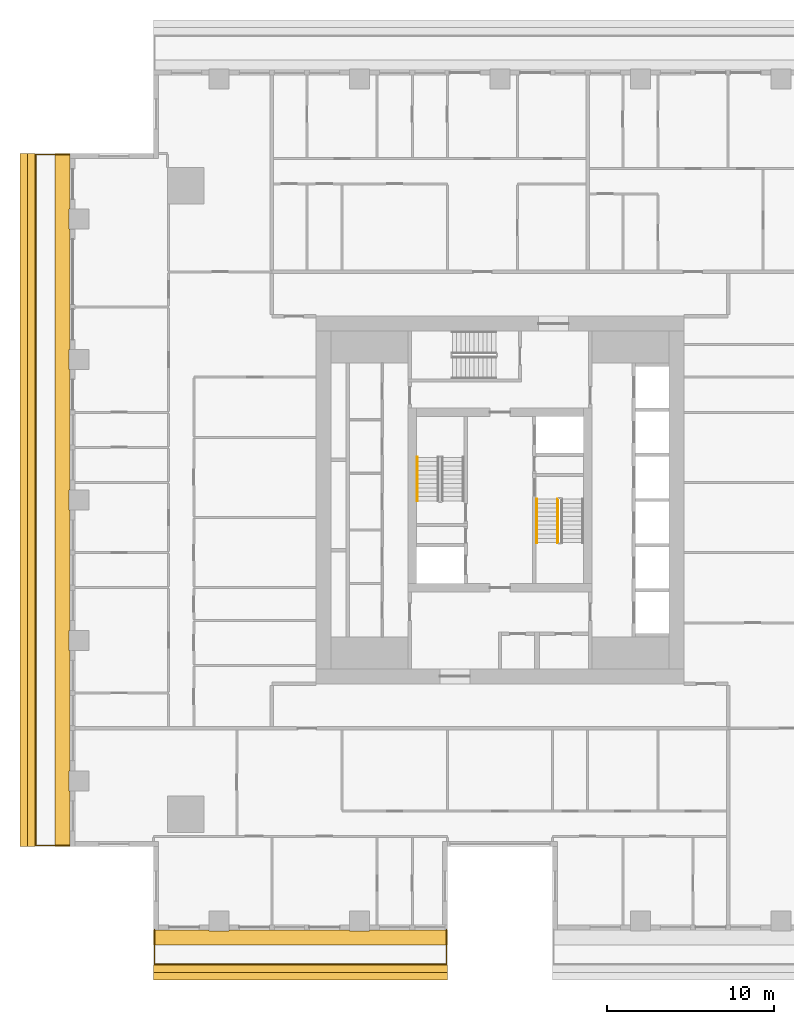
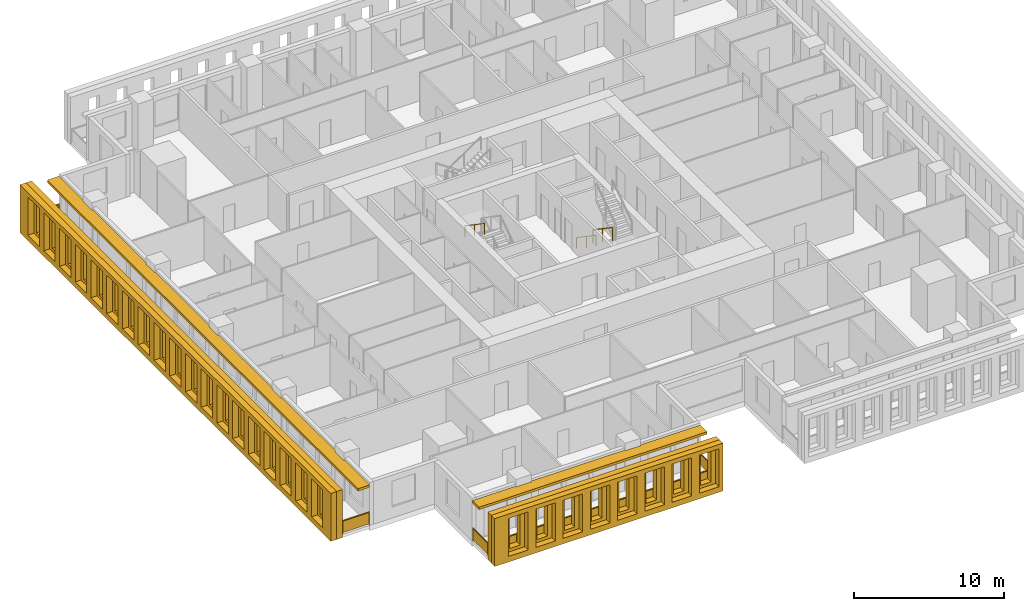
# One storey, part 11 of 15: 6 shading devices, 5 railings.
"""IFC4 building model written with IfcOpenShell, lengths in metres."""

from ifc_helpers import new_model, si_unit, direction, frame, origin, origin_2d, place, context, subcontext, project, spatial, polyline, rectangle, outline, extrude, material, layer, layer_set, type_object, element, save


model = new_model("IFC4")

# Units and contexts
model_context = context("Model", 3, precision=1e-05, world=origin(), true_north=direction((0.0, 1.0)))
body_context = subcontext(model_context, "Body", "Model", "MODEL_VIEW")
ifc_project = project(units=[si_unit("LENGTHUNIT", "METRE"), si_unit("AREAUNIT", "SQUARE_METRE"), si_unit("VOLUMEUNIT", "CUBIC_METRE"), si_unit("PLANEANGLEUNIT", "RADIAN"), si_unit("MASSUNIT", "GRAM", prefix="KILO")], contexts=[model_context])

# Site, building, storey
site_placement = place(None, origin())
site = spatial("IfcSite", under=ifc_project, at=site_placement, CompositionType="ELEMENT")
building_placement = place(site_placement, origin())
building = spatial("IfcBuilding", under=site, at=building_placement, Name="Khepri Terraces", CompositionType="ELEMENT")
storey_placement = place(building_placement, frame((0.0, 0.0, 244.5)))
storey = spatial("IfcBuildingStorey", under=building, at=storey_placement, Name="L58", CompositionType="ELEMENT", Elevation=244.5)

# Railings
ifc_material_1 = material(Name="Stainless steel grade 316", Category="steel")
railing_type_1 = type_object("IfcRailingType", Name="GRD-BAL-1100", PredefinedType="GUARDRAIL", material=ifc_material_1)
railing_1_placement = place(storey_placement, frame((-20.669921875, -25.719970703125, 0.0)))
element("IfcRailing", 1, at=railing_1_placement, inside=storey, type_object=railing_type_1, Name="Balcony guard L58 S", PredefinedType="GUARDRAIL", context=body_context, shape_type="SweptSolid", body=[
    extrude(rectangle(XDim=0.050048828125, YDim=0.06005859375, at=origin_2d()), frame((0.0, 0.0, 1.070068359375), z_axis=(0.0, -1.0, 0.0), x_axis=(1.0, 0.0, 0.0)), (0.0, 0.0, 1.0), 2.050048828125),
    extrude(rectangle(XDim=2.0, YDim=0.011962890625, at=origin_2d()), frame((0.0, -1.02490234375, 0.10009765625), z_axis=(0.0, 0.0, 1.0), x_axis=(0.0, -1.0, 0.0)), (0.0, 0.0, 1.0), 0.93994140625),
    extrude(rectangle(XDim=0.050048828125, YDim=0.06005859375, at=origin_2d()), frame((0.0, -2.050048828125, 1.070068359375), z_axis=(1.0, 0.0, 0.0), x_axis=(0.0, 1.0, 0.0)), (0.0, 0.0, 1.0), 17.469970703125),
    extrude(rectangle(XDim=2.1337890625, YDim=0.011962890625, at=origin_2d()), frame((1.091796875, -2.050048828125, 0.10009765625), z_axis=(0.0, 0.0, 1.0), x_axis=(1.0, 0.0, 0.0)), (0.0, 0.0, 1.0), 0.93994140625),
    extrude(rectangle(XDim=2.1337890625, YDim=0.011962890625, at=origin_2d()), frame((3.275634765625, -2.050048828125, 0.10009765625), z_axis=(0.0, 0.0, 1.0), x_axis=(1.0, 0.0, 0.0)), (0.0, 0.0, 1.0), 0.93994140625),
    extrude(rectangle(XDim=2.1337890625, YDim=0.011962890625, at=origin_2d()), frame((5.45947265625, -2.050048828125, 0.10009765625), z_axis=(0.0, 0.0, 1.0), x_axis=(1.0, 0.0, 0.0)), (0.0, 0.0, 1.0), 0.93994140625),
    extrude(rectangle(XDim=2.1337890625, YDim=0.011962890625, at=origin_2d()), frame((7.64306640625, -2.050048828125, 0.10009765625), z_axis=(0.0, 0.0, 1.0), x_axis=(1.0, 0.0, 0.0)), (0.0, 0.0, 1.0), 0.93994140625),
    extrude(rectangle(XDim=2.1337890625, YDim=0.011962890625, at=origin_2d()), frame((9.826904296875, -2.050048828125, 0.10009765625), z_axis=(0.0, 0.0, 1.0), x_axis=(1.0, 0.0, 0.0)), (0.0, 0.0, 1.0), 0.93994140625),
    extrude(rectangle(XDim=2.1337890625, YDim=0.011962890625, at=origin_2d()), frame((12.010498046875, -2.050048828125, 0.10009765625), z_axis=(0.0, 0.0, 1.0), x_axis=(1.0, 0.0, 0.0)), (0.0, 0.0, 1.0), 0.93994140625),
    extrude(rectangle(XDim=2.1337890625, YDim=0.011962890625, at=origin_2d()), frame((14.1943359375, -2.050048828125, 0.10009765625), z_axis=(0.0, 0.0, 1.0), x_axis=(1.0, 0.0, 0.0)), (0.0, 0.0, 1.0), 0.93994140625),
    extrude(rectangle(XDim=2.1337890625, YDim=0.011962890625, at=origin_2d()), frame((16.378173828125, -2.050048828125, 0.10009765625), z_axis=(0.0, 0.0, 1.0), x_axis=(1.0, 0.0, 0.0)), (0.0, 0.0, 1.0), 0.93994140625),
    extrude(rectangle(XDim=0.050048828125, YDim=0.06005859375, at=origin_2d()), frame((17.469970703125, -2.050048828125, 1.070068359375), z_axis=(0.0, 1.0, 0.0), x_axis=(-1.0, 0.0, 0.0)), (0.0, 0.0, 1.0), 2.050048828125),
    extrude(rectangle(XDim=2.0, YDim=0.011962890625, at=origin_2d()), frame((17.469970703125, -1.02490234375, 0.10009765625), z_axis=(0.0, 0.0, 1.0), x_axis=(0.0, 1.0, 0.0)), (0.0, 0.0, 1.0), 0.93994140625),
    extrude(rectangle(XDim=0.050048828125, YDim=0.050048828125, at=origin_2d()), origin(), (0.0, 0.0, 1.0), 1.0400390625),
    extrude(rectangle(XDim=0.050048828125, YDim=0.050048828125, at=origin_2d()), frame((0.0, -2.050048828125, 0.0)), (0.0, 0.0, 1.0), 1.0400390625),
    extrude(rectangle(XDim=0.050048828125, YDim=0.050048828125, at=origin_2d()), frame((2.183837890625, -2.050048828125, 0.0)), (0.0, 0.0, 1.0), 1.0400390625),
    extrude(rectangle(XDim=0.050048828125, YDim=0.050048828125, at=origin_2d()), frame((4.367431640625, -2.050048828125, 0.0)), (0.0, 0.0, 1.0), 1.0400390625),
    extrude(rectangle(XDim=0.050048828125, YDim=0.050048828125, at=origin_2d()), frame((6.55126953125, -2.050048828125, 0.0)), (0.0, 0.0, 1.0), 1.0400390625),
    extrude(rectangle(XDim=0.050048828125, YDim=0.050048828125, at=origin_2d()), frame((8.73486328125, -2.050048828125, 0.0)), (0.0, 0.0, 1.0), 1.0400390625),
    extrude(rectangle(XDim=0.050048828125, YDim=0.050048828125, at=origin_2d()), frame((10.918701171875, -2.050048828125, 0.0)), (0.0, 0.0, 1.0), 1.0400390625),
    extrude(rectangle(XDim=0.050048828125, YDim=0.050048828125, at=origin_2d()), frame((13.1025390625, -2.050048828125, 0.0)), (0.0, 0.0, 1.0), 1.0400390625),
    extrude(rectangle(XDim=0.050048828125, YDim=0.050048828125, at=origin_2d()), frame((15.2861328125, -2.050048828125, 0.0)), (0.0, 0.0, 1.0), 1.0400390625),
    extrude(rectangle(XDim=0.050048828125, YDim=0.050048828125, at=origin_2d()), frame((17.469970703125, -2.050048828125, 0.0)), (0.0, 0.0, 1.0), 1.0400390625),
    extrude(rectangle(XDim=0.050048828125, YDim=0.050048828125, at=origin_2d()), frame((17.469970703125, 0.0, 0.0)), (0.0, 0.0, 1.0), 1.0400390625),
])
railing_2_placement = place(storey_placement, frame((-25.719970703125, 20.669921875, 0.0)))
element("IfcRailing", 2, at=railing_2_placement, inside=storey, type_object=railing_type_1, Name="Balcony guard L58 W", PredefinedType="GUARDRAIL", context=body_context, shape_type="SweptSolid", body=[
    extrude(rectangle(XDim=0.050048828125, YDim=0.06005859375, at=origin_2d()), frame((0.0, 0.0, 1.070068359375), z_axis=(-1.0, 0.0, 0.0), x_axis=(0.0, -1.0, 0.0)), (0.0, 0.0, 1.0), 2.050048828125),
    extrude(rectangle(XDim=2.0, YDim=0.011962890625, at=origin_2d()), frame((-1.02490234375, 0.0, 0.10009765625), z_axis=(0.0, 0.0, 1.0), x_axis=(-1.0, 0.0, 0.0)), (0.0, 0.0, 1.0), 0.93994140625),
    extrude(rectangle(XDim=0.050048828125, YDim=0.06005859375, at=origin_2d()), frame((-2.050048828125, 0.0, 1.070068359375), z_axis=(0.0, -1.0, 0.0), x_axis=(1.0, 0.0, 0.0)), (0.0, 0.0, 1.0), 41.33984375),
    extrude(rectangle(XDim=2.24658203125, YDim=0.011962890625, at=origin_2d()), frame((-2.050048828125, -1.1484375, 0.10009765625), z_axis=(0.0, 0.0, 1.0), x_axis=(0.0, -1.0, 0.0)), (0.0, 0.0, 1.0), 0.93994140625),
    extrude(rectangle(XDim=2.24658203125, YDim=0.011962890625, at=origin_2d()), frame((-2.050048828125, -3.445068359375, 0.10009765625), z_axis=(0.0, 0.0, 1.0), x_axis=(0.0, -1.0, 0.0)), (0.0, 0.0, 1.0), 0.93994140625),
    extrude(rectangle(XDim=2.24658203125, YDim=0.011962890625, at=origin_2d()), frame((-2.050048828125, -5.74169921875, 0.10009765625), z_axis=(0.0, 0.0, 1.0), x_axis=(0.0, -1.0, 0.0)), (0.0, 0.0, 1.0), 0.93994140625),
    extrude(rectangle(XDim=2.24658203125, YDim=0.011962890625, at=origin_2d()), frame((-2.050048828125, -8.038330078125, 0.10009765625), z_axis=(0.0, 0.0, 1.0), x_axis=(0.0, -1.0, 0.0)), (0.0, 0.0, 1.0), 0.93994140625),
    extrude(rectangle(XDim=2.24658203125, YDim=0.011962890625, at=origin_2d()), frame((-2.050048828125, -10.3349609375, 0.10009765625), z_axis=(0.0, 0.0, 1.0), x_axis=(0.0, -1.0, 0.0)), (0.0, 0.0, 1.0), 0.93994140625),
    extrude(rectangle(XDim=2.24658203125, YDim=0.011962890625, at=origin_2d()), frame((-2.050048828125, -12.631591796875, 0.10009765625), z_axis=(0.0, 0.0, 1.0), x_axis=(0.0, -1.0, 0.0)), (0.0, 0.0, 1.0), 0.93994140625),
    extrude(rectangle(XDim=2.24658203125, YDim=0.011962890625, at=origin_2d()), frame((-2.050048828125, -14.92822265625, 0.10009765625), z_axis=(0.0, 0.0, 1.0), x_axis=(0.0, -1.0, 0.0)), (0.0, 0.0, 1.0), 0.93994140625),
    extrude(rectangle(XDim=2.24658203125, YDim=0.011962890625, at=origin_2d()), frame((-2.050048828125, -17.224853515625, 0.10009765625), z_axis=(0.0, 0.0, 1.0), x_axis=(0.0, -1.0, 0.0)), (0.0, 0.0, 1.0), 0.93994140625),
    extrude(rectangle(XDim=2.24658203125, YDim=0.011962890625, at=origin_2d()), frame((-2.050048828125, -19.521484375, 0.10009765625), z_axis=(0.0, 0.0, 1.0), x_axis=(0.0, -1.0, 0.0)), (0.0, 0.0, 1.0), 0.93994140625),
    extrude(rectangle(XDim=2.24658203125, YDim=0.011962890625, at=origin_2d()), frame((-2.050048828125, -21.818359375, 0.10009765625), z_axis=(0.0, 0.0, 1.0), x_axis=(0.0, -1.0, 0.0)), (0.0, 0.0, 1.0), 0.93994140625),
    extrude(rectangle(XDim=2.24658203125, YDim=0.011962890625, at=origin_2d()), frame((-2.050048828125, -24.114990234375, 0.10009765625), z_axis=(0.0, 0.0, 1.0), x_axis=(0.0, -1.0, 0.0)), (0.0, 0.0, 1.0), 0.93994140625),
    extrude(rectangle(XDim=2.24658203125, YDim=0.011962890625, at=origin_2d()), frame((-2.050048828125, -26.41162109375, 0.10009765625), z_axis=(0.0, 0.0, 1.0), x_axis=(0.0, -1.0, 0.0)), (0.0, 0.0, 1.0), 0.93994140625),
    extrude(rectangle(XDim=2.24658203125, YDim=0.011962890625, at=origin_2d()), frame((-2.050048828125, -28.708251953125, 0.10009765625), z_axis=(0.0, 0.0, 1.0), x_axis=(0.0, -1.0, 0.0)), (0.0, 0.0, 1.0), 0.93994140625),
    extrude(rectangle(XDim=2.24658203125, YDim=0.011962890625, at=origin_2d()), frame((-2.050048828125, -31.0048828125, 0.10009765625), z_axis=(0.0, 0.0, 1.0), x_axis=(0.0, -1.0, 0.0)), (0.0, 0.0, 1.0), 0.93994140625),
    extrude(rectangle(XDim=2.24658203125, YDim=0.011962890625, at=origin_2d()), frame((-2.050048828125, -33.301513671875, 0.10009765625), z_axis=(0.0, 0.0, 1.0), x_axis=(0.0, -1.0, 0.0)), (0.0, 0.0, 1.0), 0.93994140625),
    extrude(rectangle(XDim=2.24658203125, YDim=0.011962890625, at=origin_2d()), frame((-2.050048828125, -35.59814453125, 0.10009765625), z_axis=(0.0, 0.0, 1.0), x_axis=(0.0, -1.0, 0.0)), (0.0, 0.0, 1.0), 0.93994140625),
    extrude(rectangle(XDim=2.24658203125, YDim=0.011962890625, at=origin_2d()), frame((-2.050048828125, -37.894775390625, 0.10009765625), z_axis=(0.0, 0.0, 1.0), x_axis=(0.0, -1.0, 0.0)), (0.0, 0.0, 1.0), 0.93994140625),
    extrude(rectangle(XDim=2.24658203125, YDim=0.011962890625, at=origin_2d()), frame((-2.050048828125, -40.19140625, 0.10009765625), z_axis=(0.0, 0.0, 1.0), x_axis=(0.0, -1.0, 0.0)), (0.0, 0.0, 1.0), 0.93994140625),
    extrude(rectangle(XDim=0.050048828125, YDim=0.06005859375, at=origin_2d()), frame((-2.050048828125, -41.33984375, 1.070068359375), z_axis=(1.0, 0.0, 0.0), x_axis=(0.0, 1.0, 0.0)), (0.0, 0.0, 1.0), 2.050048828125),
    extrude(rectangle(XDim=2.0, YDim=0.011962890625, at=origin_2d()), frame((-1.02490234375, -41.33984375, 0.10009765625), z_axis=(0.0, 0.0, 1.0), x_axis=(1.0, 0.0, 0.0)), (0.0, 0.0, 1.0), 0.93994140625),
    extrude(rectangle(XDim=0.050048828125, YDim=0.050048828125, at=origin_2d()), origin(), (0.0, 0.0, 1.0), 1.0400390625),
    extrude(rectangle(XDim=0.050048828125, YDim=0.050048828125, at=origin_2d()), frame((-2.050048828125, 0.0, 0.0)), (0.0, 0.0, 1.0), 1.0400390625),
    extrude(rectangle(XDim=0.050048828125, YDim=0.050048828125, at=origin_2d()), frame((-2.050048828125, -2.296630859375, 0.0)), (0.0, 0.0, 1.0), 1.0400390625),
    extrude(rectangle(XDim=0.050048828125, YDim=0.050048828125, at=origin_2d()), frame((-2.050048828125, -4.59326171875, 0.0)), (0.0, 0.0, 1.0), 1.0400390625),
    extrude(rectangle(XDim=0.050048828125, YDim=0.050048828125, at=origin_2d()), frame((-2.050048828125, -6.889892578125, 0.0)), (0.0, 0.0, 1.0), 1.0400390625),
    extrude(rectangle(XDim=0.050048828125, YDim=0.050048828125, at=origin_2d()), frame((-2.050048828125, -9.1865234375, 0.0)), (0.0, 0.0, 1.0), 1.0400390625),
    extrude(rectangle(XDim=0.050048828125, YDim=0.050048828125, at=origin_2d()), frame((-2.050048828125, -11.4833984375, 0.0)), (0.0, 0.0, 1.0), 1.0400390625),
    extrude(rectangle(XDim=0.050048828125, YDim=0.050048828125, at=origin_2d()), frame((-2.050048828125, -13.780029296875, 0.0)), (0.0, 0.0, 1.0), 1.0400390625),
    extrude(rectangle(XDim=0.050048828125, YDim=0.050048828125, at=origin_2d()), frame((-2.050048828125, -16.07666015625, 0.0)), (0.0, 0.0, 1.0), 1.0400390625),
    extrude(rectangle(XDim=0.050048828125, YDim=0.050048828125, at=origin_2d()), frame((-2.050048828125, -18.373291015625, 0.0)), (0.0, 0.0, 1.0), 1.0400390625),
    extrude(rectangle(XDim=0.050048828125, YDim=0.050048828125, at=origin_2d()), frame((-2.050048828125, -20.669921875, 0.0)), (0.0, 0.0, 1.0), 1.0400390625),
    extrude(rectangle(XDim=0.050048828125, YDim=0.050048828125, at=origin_2d()), frame((-2.050048828125, -22.966552734375, 0.0)), (0.0, 0.0, 1.0), 1.0400390625),
    extrude(rectangle(XDim=0.050048828125, YDim=0.050048828125, at=origin_2d()), frame((-2.050048828125, -25.26318359375, 0.0)), (0.0, 0.0, 1.0), 1.0400390625),
    extrude(rectangle(XDim=0.050048828125, YDim=0.050048828125, at=origin_2d()), frame((-2.050048828125, -27.559814453125, 0.0)), (0.0, 0.0, 1.0), 1.0400390625),
    extrude(rectangle(XDim=0.050048828125, YDim=0.050048828125, at=origin_2d()), frame((-2.050048828125, -29.8564453125, 0.0)), (0.0, 0.0, 1.0), 1.0400390625),
    extrude(rectangle(XDim=0.050048828125, YDim=0.050048828125, at=origin_2d()), frame((-2.050048828125, -32.1533203125, 0.0)), (0.0, 0.0, 1.0), 1.0400390625),
    extrude(rectangle(XDim=0.050048828125, YDim=0.050048828125, at=origin_2d()), frame((-2.050048828125, -34.449951171875, 0.0)), (0.0, 0.0, 1.0), 1.0400390625),
    extrude(rectangle(XDim=0.050048828125, YDim=0.050048828125, at=origin_2d()), frame((-2.050048828125, -36.74658203125, 0.0)), (0.0, 0.0, 1.0), 1.0400390625),
    extrude(rectangle(XDim=0.050048828125, YDim=0.050048828125, at=origin_2d()), frame((-2.050048828125, -39.043212890625, 0.0)), (0.0, 0.0, 1.0), 1.0400390625),
    extrude(rectangle(XDim=0.050048828125, YDim=0.050048828125, at=origin_2d()), frame((-2.050048828125, -41.33984375, 0.0)), (0.0, 0.0, 1.0), 1.0400390625),
    extrude(rectangle(XDim=0.050048828125, YDim=0.050048828125, at=origin_2d()), frame((0.0, -41.33984375, 0.0)), (0.0, 0.0, 1.0), 1.0400390625),
])
ifc_material_2 = material(Name="Stainless steel 316", Category="steel")
railing_type_2 = type_object("IfcRailingType", Name="RL-CORE-GUARD", PredefinedType="GUARDRAIL", material=ifc_material_2)
railing_3_placement = place(storey_placement, frame((3.449951171875, 0.050048828125, 0.17724609375)))
element("IfcRailing", 3, at=railing_3_placement, inside=storey, type_object=railing_type_2, Name="L58 ST-2 stair guard 1", PredefinedType="GUARDRAIL", context=body_context, shape_type="SweptSolid", body=[
    extrude(rectangle(XDim=0.050048828125, YDim=0.06005859375, at=origin_2d()), frame((0.0, 0.0, 1.070068359375), z_axis=(0.0, -0.826240473404, 0.563317565952), x_axis=(1.0, 0.0, 0.0)), (0.0, 0.0, 1.0), 3.14697265625),
    extrude(rectangle(XDim=0.050048828125, YDim=0.050048828125, at=origin_2d()), origin(), (0.0, 0.0, 1.0), 1.0400390625),
    extrude(rectangle(XDim=0.050048828125, YDim=0.050048828125, at=origin_2d()), frame((0.0, -1.300048828125, 0.88623046875)), (0.0, 0.0, 1.0), 1.0400390625),
    extrude(rectangle(XDim=0.050048828125, YDim=0.050048828125, at=origin_2d()), frame((0.0, -2.60009765625, 1.772705078125)), (0.0, 0.0, 1.0), 1.0400390625),
])
railing_type_3 = type_object("IfcRailingType", Name="RL-CORE-HANDRAIL", PredefinedType="HANDRAIL", material=ifc_material_2)
for number, where, name in (
    (4, (-4.949951171875, 2.550048828125, 2.127197265625), "L58 ST-1 stair handrail 2"),
    (5, (2.199951171875, 0.050048828125, 0.17724609375), "L58 ST-2 stair handrail 1"),
):
    element("IfcRailing", number, at=place(storey_placement, frame(where)), inside=storey, type_object=railing_type_3, Name=name, PredefinedType="HANDRAIL", context=body_context, shape_type="SweptSolid", body=[
        extrude(rectangle(XDim=0.050048828125, YDim=0.050048828125, at=origin_2d()), frame((0.0, 0.0, 0.875), z_axis=(0.0, -0.826240473404, 0.563317565952), x_axis=(1.0, 0.0, 0.0)), (0.0, 0.0, 1.0), 3.14697265625),
        extrude(rectangle(XDim=0.050048828125, YDim=0.050048828125, at=origin_2d()), origin(), (0.0, 0.0, 1.0), 0.849853515625),
        extrude(rectangle(XDim=0.050048828125, YDim=0.050048828125, at=origin_2d()), frame((0.0, -1.300048828125, 0.88623046875)), (0.0, 0.0, 1.0), 0.849853515625),
        extrude(rectangle(XDim=0.050048828125, YDim=0.050048828125, at=origin_2d()), frame((0.0, -2.60009765625, 1.772705078125)), (0.0, 0.0, 1.0), 0.849853515625),
    ])

# Shading devices
ifc_material_3 = material(Name="Precast concrete C50/60 warm stone", Category="masonry")
shading_device_type_1 = type_object("IfcShadingDeviceType", Name="SCR-CELL-INNER-450", PredefinedType="USERDEFINED", material=ifc_material_3)
shading_device_1_placement = place(storey_placement, frame((-20.719970703125, -27.820068359375, -0.25), z_axis=(0.0, -1.0, 0.0), x_axis=(1.0, 0.0, 0.0)))
element("IfcShadingDevice", 6, at=shading_device_1_placement, inside=storey, type_object=shading_device_type_1, Name="Cell screen L58 S in", ObjectType="SCREEN", PredefinedType="USERDEFINED", context=body_context, shape_type="SweptSolid", body=[
    extrude(outline(polyline([(0.0, 0.0), (17.570068359375, 0.0), (17.570068359375, 3.89990234375), (0.0, 3.89990234375), (0.0, 0.0)]), holes=[polyline([(1.41845703125, 0.699951171875), (2.2216796875, 0.699951171875), (2.2216796875, 3.300048828125), (1.41845703125, 3.300048828125), (1.41845703125, 0.699951171875)]), polyline([(3.518310546875, 0.699951171875), (4.321533203125, 0.699951171875), (4.321533203125, 3.300048828125), (3.518310546875, 3.300048828125), (3.518310546875, 0.699951171875)]), polyline([(5.618408203125, 0.699951171875), (6.421630859375, 0.699951171875), (6.421630859375, 3.300048828125), (5.618408203125, 3.300048828125), (5.618408203125, 0.699951171875)]), polyline([(7.718505859375, 0.699951171875), (8.521484375, 0.699951171875), (8.521484375, 3.300048828125), (7.718505859375, 3.300048828125), (7.718505859375, 0.699951171875)]), polyline([(9.818359375, 0.699951171875), (10.62158203125, 0.699951171875), (10.62158203125, 3.300048828125), (9.818359375, 3.300048828125), (9.818359375, 0.699951171875)]), polyline([(11.91845703125, 0.699951171875), (12.7216796875, 0.699951171875), (12.7216796875, 3.300048828125), (11.91845703125, 3.300048828125), (11.91845703125, 0.699951171875)]), polyline([(14.018310546875, 0.699951171875), (14.821533203125, 0.699951171875), (14.821533203125, 3.300048828125), (14.018310546875, 3.300048828125), (14.018310546875, 0.699951171875)]), polyline([(16.118408203125, 0.699951171875), (16.921630859375, 0.699951171875), (16.921630859375, 3.300048828125), (16.118408203125, 3.300048828125), (16.118408203125, 0.699951171875)])]), origin(), (0.0, 0.0, 1.0), 0.449951171875),
])
shading_device_2_placement = place(storey_placement, frame((-27.820068359375, 20.719970703125, -0.25), z_axis=(-1.0, 0.0, 0.0), x_axis=(0.0, -1.0, 0.0)))
element("IfcShadingDevice", 7, at=shading_device_2_placement, inside=storey, type_object=shading_device_type_1, Name="Cell screen L58 W in", ObjectType="SCREEN", PredefinedType="USERDEFINED", context=body_context, shape_type="SweptSolid", body=[
    extrude(outline(polyline([(0.0, 0.0), (41.43994140625, 0.0), (41.43994140625, 3.89990234375), (0.0, 3.89990234375), (0.0, 0.0)]), holes=[polyline([(1.41845703125, 0.699951171875), (2.2216796875, 0.699951171875), (2.2216796875, 3.300048828125), (1.41845703125, 3.300048828125), (1.41845703125, 0.699951171875)]), polyline([(3.518310546875, 0.699951171875), (4.321533203125, 0.699951171875), (4.321533203125, 3.300048828125), (3.518310546875, 3.300048828125), (3.518310546875, 0.699951171875)]), polyline([(5.618408203125, 0.699951171875), (6.421630859375, 0.699951171875), (6.421630859375, 3.300048828125), (5.618408203125, 3.300048828125), (5.618408203125, 0.699951171875)]), polyline([(7.718505859375, 0.699951171875), (8.521484375, 0.699951171875), (8.521484375, 3.300048828125), (7.718505859375, 3.300048828125), (7.718505859375, 0.699951171875)]), polyline([(9.818359375, 0.699951171875), (10.62158203125, 0.699951171875), (10.62158203125, 3.300048828125), (9.818359375, 3.300048828125), (9.818359375, 0.699951171875)]), polyline([(11.91845703125, 0.699951171875), (12.7216796875, 0.699951171875), (12.7216796875, 3.300048828125), (11.91845703125, 3.300048828125), (11.91845703125, 0.699951171875)]), polyline([(14.018310546875, 0.699951171875), (14.821533203125, 0.699951171875), (14.821533203125, 3.300048828125), (14.018310546875, 3.300048828125), (14.018310546875, 0.699951171875)]), polyline([(16.118408203125, 0.699951171875), (16.921630859375, 0.699951171875), (16.921630859375, 3.300048828125), (16.118408203125, 3.300048828125), (16.118408203125, 0.699951171875)]), polyline([(18.218505859375, 0.699951171875), (19.021484375, 0.699951171875), (19.021484375, 3.300048828125), (18.218505859375, 3.300048828125), (18.218505859375, 0.699951171875)]), polyline([(20.318359375, 0.699951171875), (21.12158203125, 0.699951171875), (21.12158203125, 3.300048828125), (20.318359375, 3.300048828125), (20.318359375, 0.699951171875)]), polyline([(22.41845703125, 0.699951171875), (23.2216796875, 0.699951171875), (23.2216796875, 3.300048828125), (22.41845703125, 3.300048828125), (22.41845703125, 0.699951171875)]), polyline([(24.518310546875, 0.699951171875), (25.321533203125, 0.699951171875), (25.321533203125, 3.300048828125), (24.518310546875, 3.300048828125), (24.518310546875, 0.699951171875)]), polyline([(26.618408203125, 0.699951171875), (27.421630859375, 0.699951171875), (27.421630859375, 3.300048828125), (26.618408203125, 3.300048828125), (26.618408203125, 0.699951171875)]), polyline([(28.718505859375, 0.699951171875), (29.521484375, 0.699951171875), (29.521484375, 3.300048828125), (28.718505859375, 3.300048828125), (28.718505859375, 0.699951171875)]), polyline([(30.818359375, 0.699951171875), (31.62158203125, 0.699951171875), (31.62158203125, 3.300048828125), (30.818359375, 3.300048828125), (30.818359375, 0.699951171875)]), polyline([(32.91845703125, 0.699951171875), (33.7216796875, 0.699951171875), (33.7216796875, 3.300048828125), (32.91845703125, 3.300048828125), (32.91845703125, 0.699951171875)]), polyline([(35.018310546875, 0.699951171875), (35.821533203125, 0.699951171875), (35.821533203125, 3.300048828125), (35.018310546875, 3.300048828125), (35.018310546875, 0.699951171875)]), polyline([(37.118408203125, 0.699951171875), (37.921630859375, 0.699951171875), (37.921630859375, 3.300048828125), (37.118408203125, 3.300048828125), (37.118408203125, 0.699951171875)]), polyline([(39.218505859375, 0.699951171875), (40.021484375, 0.699951171875), (40.021484375, 3.300048828125), (39.218505859375, 3.300048828125), (39.218505859375, 0.699951171875)])]), origin(), (0.0, 0.0, 1.0), 0.449951171875),
])
shading_device_type_2 = type_object("IfcShadingDeviceType", Name="SCR-CELL-OUTER-450", PredefinedType="USERDEFINED", material=ifc_material_3)
shading_device_3_placement = place(storey_placement, frame((-20.719970703125, -28.27001953125, -0.25), z_axis=(0.0, -1.0, 0.0), x_axis=(1.0, 0.0, 0.0)))
element("IfcShadingDevice", 8, at=shading_device_3_placement, inside=storey, type_object=shading_device_type_2, Name="Cell screen L58 S out", ObjectType="SCREEN", PredefinedType="USERDEFINED", context=body_context, shape_type="SweptSolid", body=[
    extrude(outline(polyline([(0.0, 0.0), (17.570068359375, 0.0), (17.570068359375, 3.89990234375), (0.0, 3.89990234375), (0.0, 0.0)]), holes=[polyline([(1.068359375, 0.449951171875), (2.571533203125, 0.449951171875), (2.571533203125, 3.550048828125), (1.068359375, 3.550048828125), (1.068359375, 0.449951171875)]), polyline([(3.16845703125, 0.449951171875), (4.671630859375, 0.449951171875), (4.671630859375, 3.550048828125), (3.16845703125, 3.550048828125), (3.16845703125, 0.449951171875)]), polyline([(5.268310546875, 0.449951171875), (6.771484375, 0.449951171875), (6.771484375, 3.550048828125), (5.268310546875, 3.550048828125), (5.268310546875, 0.449951171875)]), polyline([(7.368408203125, 0.449951171875), (8.87158203125, 0.449951171875), (8.87158203125, 3.550048828125), (7.368408203125, 3.550048828125), (7.368408203125, 0.449951171875)]), polyline([(9.468505859375, 0.449951171875), (10.9716796875, 0.449951171875), (10.9716796875, 3.550048828125), (9.468505859375, 3.550048828125), (9.468505859375, 0.449951171875)]), polyline([(11.568359375, 0.449951171875), (13.071533203125, 0.449951171875), (13.071533203125, 3.550048828125), (11.568359375, 3.550048828125), (11.568359375, 0.449951171875)]), polyline([(13.66845703125, 0.449951171875), (15.171630859375, 0.449951171875), (15.171630859375, 3.550048828125), (13.66845703125, 3.550048828125), (13.66845703125, 0.449951171875)]), polyline([(15.768310546875, 0.449951171875), (17.271484375, 0.449951171875), (17.271484375, 3.550048828125), (15.768310546875, 3.550048828125), (15.768310546875, 0.449951171875)])]), origin(), (0.0, 0.0, 1.0), 0.449951171875),
])
shading_device_4_placement = place(storey_placement, frame((-28.27001953125, 20.719970703125, -0.25), z_axis=(-1.0, 0.0, 0.0), x_axis=(0.0, -1.0, 0.0)))
element("IfcShadingDevice", 9, at=shading_device_4_placement, inside=storey, type_object=shading_device_type_2, Name="Cell screen L58 W out", ObjectType="SCREEN", PredefinedType="USERDEFINED", context=body_context, shape_type="SweptSolid", body=[
    extrude(outline(polyline([(0.0, 0.0), (41.43994140625, 0.0), (41.43994140625, 3.89990234375), (0.0, 3.89990234375), (0.0, 0.0)]), holes=[polyline([(1.068359375, 0.449951171875), (2.571533203125, 0.449951171875), (2.571533203125, 3.550048828125), (1.068359375, 3.550048828125), (1.068359375, 0.449951171875)]), polyline([(3.16845703125, 0.449951171875), (4.671630859375, 0.449951171875), (4.671630859375, 3.550048828125), (3.16845703125, 3.550048828125), (3.16845703125, 0.449951171875)]), polyline([(5.268310546875, 0.449951171875), (6.771484375, 0.449951171875), (6.771484375, 3.550048828125), (5.268310546875, 3.550048828125), (5.268310546875, 0.449951171875)]), polyline([(7.368408203125, 0.449951171875), (8.87158203125, 0.449951171875), (8.87158203125, 3.550048828125), (7.368408203125, 3.550048828125), (7.368408203125, 0.449951171875)]), polyline([(9.468505859375, 0.449951171875), (10.9716796875, 0.449951171875), (10.9716796875, 3.550048828125), (9.468505859375, 3.550048828125), (9.468505859375, 0.449951171875)]), polyline([(11.568359375, 0.449951171875), (13.071533203125, 0.449951171875), (13.071533203125, 3.550048828125), (11.568359375, 3.550048828125), (11.568359375, 0.449951171875)]), polyline([(13.66845703125, 0.449951171875), (15.171630859375, 0.449951171875), (15.171630859375, 3.550048828125), (13.66845703125, 3.550048828125), (13.66845703125, 0.449951171875)]), polyline([(15.768310546875, 0.449951171875), (17.271484375, 0.449951171875), (17.271484375, 3.550048828125), (15.768310546875, 3.550048828125), (15.768310546875, 0.449951171875)]), polyline([(17.868408203125, 0.449951171875), (19.37158203125, 0.449951171875), (19.37158203125, 3.550048828125), (17.868408203125, 3.550048828125), (17.868408203125, 0.449951171875)]), polyline([(19.968505859375, 0.449951171875), (21.4716796875, 0.449951171875), (21.4716796875, 3.550048828125), (19.968505859375, 3.550048828125), (19.968505859375, 0.449951171875)]), polyline([(22.068359375, 0.449951171875), (23.571533203125, 0.449951171875), (23.571533203125, 3.550048828125), (22.068359375, 3.550048828125), (22.068359375, 0.449951171875)]), polyline([(24.16845703125, 0.449951171875), (25.671630859375, 0.449951171875), (25.671630859375, 3.550048828125), (24.16845703125, 3.550048828125), (24.16845703125, 0.449951171875)]), polyline([(26.268310546875, 0.449951171875), (27.771484375, 0.449951171875), (27.771484375, 3.550048828125), (26.268310546875, 3.550048828125), (26.268310546875, 0.449951171875)]), polyline([(28.368408203125, 0.449951171875), (29.87158203125, 0.449951171875), (29.87158203125, 3.550048828125), (28.368408203125, 3.550048828125), (28.368408203125, 0.449951171875)]), polyline([(30.468505859375, 0.449951171875), (31.9716796875, 0.449951171875), (31.9716796875, 3.550048828125), (30.468505859375, 3.550048828125), (30.468505859375, 0.449951171875)]), polyline([(32.568359375, 0.449951171875), (34.071533203125, 0.449951171875), (34.071533203125, 3.550048828125), (32.568359375, 3.550048828125), (32.568359375, 0.449951171875)]), polyline([(34.66845703125, 0.449951171875), (36.171630859375, 0.449951171875), (36.171630859375, 3.550048828125), (34.66845703125, 3.550048828125), (34.66845703125, 0.449951171875)]), polyline([(36.768310546875, 0.449951171875), (38.271484375, 0.449951171875), (38.271484375, 3.550048828125), (36.768310546875, 3.550048828125), (36.768310546875, 0.449951171875)]), polyline([(38.868408203125, 0.449951171875), (40.37158203125, 0.449951171875), (40.37158203125, 3.550048828125), (38.868408203125, 3.550048828125), (38.868408203125, 0.449951171875)])]), origin(), (0.0, 0.0, 1.0), 0.449951171875),
])
ifc_layer = layer(ifc_material_3, 0.199951171875, Name="Precast concrete C50/60 warm stone", Category="masonry")
ifc_layer_set = layer_set([ifc_layer], Name="Precast concrete C50/60 warm stone")
shading_device_type_3 = type_object("IfcShadingDeviceType", Name="SSH-BAND-STONE-200", PredefinedType="USERDEFINED", material=ifc_layer_set)
shading_device_5_placement = place(storey_placement, frame((0.0, 0.0, 3.10009765625)))
element("IfcShadingDevice", 10, at=shading_device_5_placement, inside=storey, type_object=shading_device_type_3, Name="Sunshade band L58 S", ObjectType="SUNSHADE", PredefinedType="USERDEFINED", context=body_context, shape_type="SweptSolid", body=[
    extrude(outline(polyline([(-17.39990234375, -25.719970703125), (-20.719970703125, -25.719970703125), (-20.719970703125, -26.6201171875), (-3.14990234375, -26.6201171875), (-3.14990234375, -25.719970703125), (-7.800048828125, -25.719970703125), (-7.800048828125, -25.800048828125), (-9.0, -25.800048828125), (-9.0, -25.719970703125), (-16.199951171875, -25.719970703125), (-16.199951171875, -25.800048828125), (-17.39990234375, -25.800048828125), (-17.39990234375, -25.719970703125)])), origin(), (0.0, 0.0, 1.0), 0.199951171875),
])
shading_device_6_placement = place(storey_placement, frame((0.0, 0.0, 3.10009765625)))
element("IfcShadingDevice", 11, at=shading_device_6_placement, inside=storey, type_object=shading_device_type_3, Name="Sunshade band L58 W", ObjectType="SUNSHADE", PredefinedType="USERDEFINED", context=body_context, shape_type="SweptSolid", body=[
    extrude(outline(polyline([(-25.719970703125, 17.39990234375), (-25.719970703125, 20.719970703125), (-26.6201171875, 20.719970703125), (-26.6201171875, -20.719970703125), (-25.719970703125, -20.719970703125), (-25.719970703125, -17.39990234375), (-25.800048828125, -17.39990234375), (-25.800048828125, -16.199951171875), (-25.719970703125, -16.199951171875), (-25.719970703125, -9.0), (-25.800048828125, -9.0), (-25.800048828125, -7.800048828125), (-25.719970703125, -7.800048828125), (-25.719970703125, -0.60009765625), (-25.800048828125, -0.60009765625), (-25.800048828125, 0.60009765625), (-25.719970703125, 0.60009765625), (-25.719970703125, 7.800048828125), (-25.800048828125, 7.800048828125), (-25.800048828125, 9.0), (-25.719970703125, 9.0), (-25.719970703125, 16.199951171875), (-25.800048828125, 16.199951171875), (-25.800048828125, 17.39990234375), (-25.719970703125, 17.39990234375)])), origin(), (0.0, 0.0, 1.0), 0.199951171875),
])

save(model, "model.ifc")
